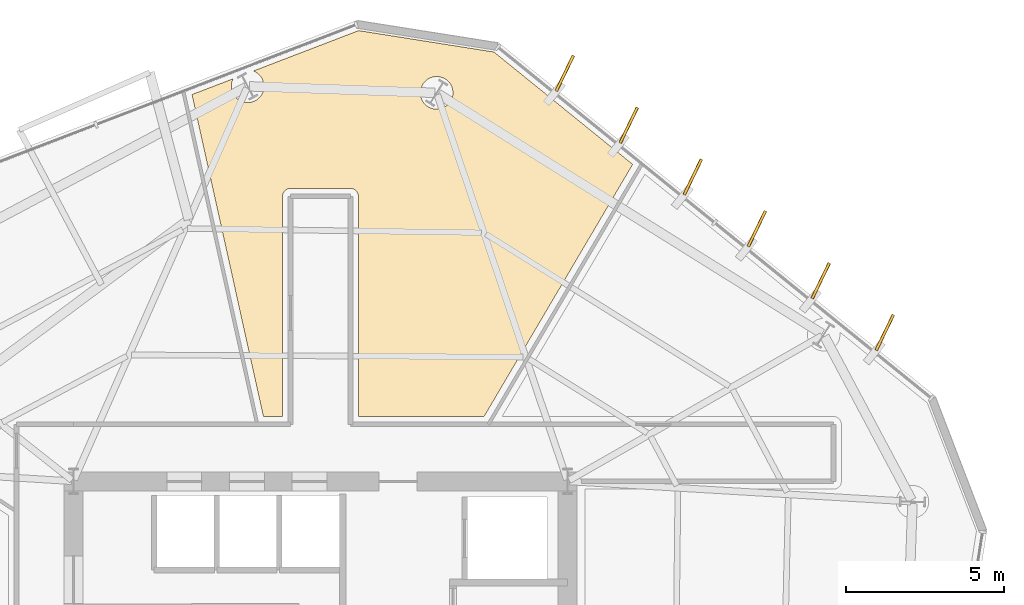
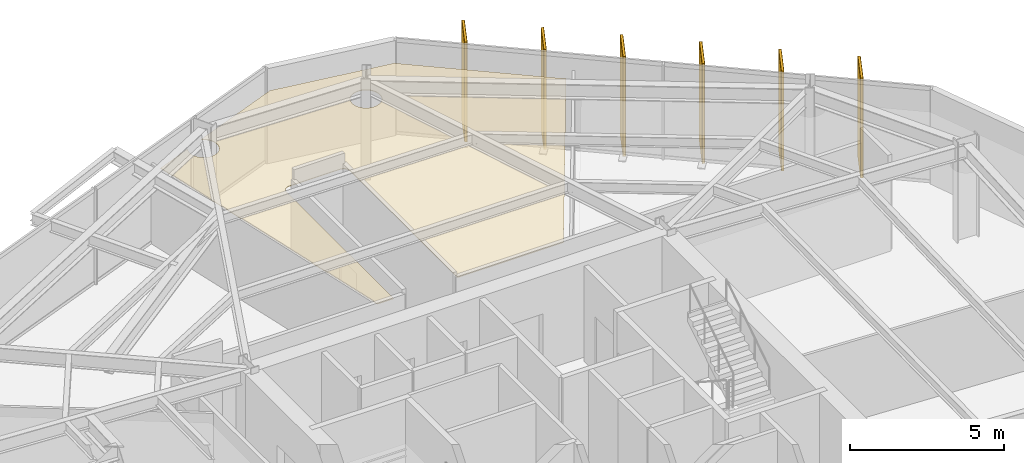
# One storey, part 11 of 11: 7 coverings, 6 shading devices.
"""IFC4 building model written with IfcOpenShell, lengths in metres."""

from ifc_helpers import new_model, si_unit, direction, frame, origin, origin_2d, place, context, subcontext, project, spatial, polyline, rectangle, outline, extrude, material, layer, layer_set, type_object, element, save


model = new_model("IFC4")

# Units and contexts
model_context = context("Model", 3, precision=1e-05, world=origin(), true_north=direction((0.0, 1.0)))
body_context = subcontext(model_context, "Body", "Model", "MODEL_VIEW")
ifc_project = project(units=[si_unit("LENGTHUNIT", "METRE"), si_unit("AREAUNIT", "SQUARE_METRE"), si_unit("VOLUMEUNIT", "CUBIC_METRE"), si_unit("PLANEANGLEUNIT", "RADIAN"), si_unit("MASSUNIT", "GRAM", prefix="KILO")], contexts=[model_context])

# Site, building, storey
site_placement = place(None, origin())
site = spatial("IfcSite", under=ifc_project, at=site_placement, CompositionType="ELEMENT")
building_placement = place(site_placement, origin())
building = spatial("IfcBuilding", under=site, at=building_placement, Name="Kranzbogen Civic Tower", CompositionType="ELEMENT")
storey_placement = place(building_placement, frame((0.0, 0.0, 106.39990234375)))
storey = spatial("IfcBuildingStorey", under=building, at=storey_placement, Name="L25", CompositionType="ELEMENT", Elevation=106.39990234375)

# Coverings
ifc_material_1 = material(Name="Pale Anodised Aluminium", Category="aluminium")
ifc_layer_1 = layer(ifc_material_1, 0.02490234375, Name="Pale Anodised Aluminium")
ifc_layer_set_1 = layer_set([ifc_layer_1], Name="Pale Anodised Aluminium")
covering_type_1 = type_object("IfcCoveringType", Name="Anodised Aluminium Vertical Fin Cladding 25 mm", PredefinedType="CLADDING", material=ifc_layer_set_1)
for number, where, z_axis, x_axis, name in (
    (1, (42.81591796875, 36.89794921875, -0.139892578125), (0.0, 0.0, 1.0), (0.436000902934, 0.899946227638, 0.0), "L25 vertical fin pale-metal cladding F1-1"),
    (2, (40.794921875, 38.534912109375, -0.139892578125), (0.0, 0.0, 1.0), (0.436000902934, 0.899946227638, 0.0), "L25 vertical fin pale-metal cladding F1-2"),
    (3, (38.77490234375, 40.1708984375, -0.139892578125), (0.0, 0.0, 1.0), (0.436000902934, 0.899946227638, 0.0), "L25 vertical fin pale-metal cladding F1-3"),
    (4, (36.75390625, 41.806884765625, -0.139892578125), (0.0, 0.0, 1.0), (0.436000902934, 0.899946227638, 0.0), "L25 vertical fin pale-metal cladding F1-4"),
    (5, (34.73388671875, 43.444091796875, -0.139892578125), (0.0, 0.0, 1.0), (0.436000902934, 0.899946227638, 0.0), "L25 vertical fin pale-metal cladding F1-5"),
    (6, (32.712890625, 45.080078125, -0.139892578125), (0.0, 0.0, 1.0), (0.436000902934, 0.899946227638, 0.0), "L25 vertical fin pale-metal cladding F1-6"),
):
    element("IfcCovering", number, at=place(storey_placement, frame(where, z_axis=z_axis, x_axis=x_axis)), inside=storey, type_object=covering_type_1, Name=name, PredefinedType="CLADDING", context=body_context, shape_type="SweptSolid", body=[
        extrude(rectangle(XDim=1.25, YDim=0.10009765625, at=origin_2d()), origin(), (0.0, 0.0, 1.0), 3.9599609375),
    ])

# Shading devices
ifc_material_2 = material(Name="Anodised Bronze Aluminium", Category="aluminium")
shading_device_type = type_object("IfcShadingDeviceType", Name="Anodised Bronze Vertical Facade Fin 1250x80", PredefinedType="USERDEFINED", material=ifc_material_2)
for number, where, z_axis, x_axis, name in (
    (7, (42.81591796875, 36.89794921875, -0.139892578125), (0.0, 0.0, 1.0), (0.436000902934, 0.899946227638, 0.0), "L25 vertical exterior shading fin F1-1"),
    (8, (40.794921875, 38.534912109375, -0.139892578125), (0.0, 0.0, 1.0), (0.436000902934, 0.899946227638, 0.0), "L25 vertical exterior shading fin F1-2"),
    (9, (38.77490234375, 40.1708984375, -0.139892578125), (0.0, 0.0, 1.0), (0.436000902934, 0.899946227638, 0.0), "L25 vertical exterior shading fin F1-3"),
    (10, (36.75390625, 41.806884765625, -0.139892578125), (0.0, 0.0, 1.0), (0.436000902934, 0.899946227638, 0.0), "L25 vertical exterior shading fin F1-4"),
    (11, (34.73388671875, 43.444091796875, -0.139892578125), (0.0, 0.0, 1.0), (0.436000902934, 0.899946227638, 0.0), "L25 vertical exterior shading fin F1-5"),
    (12, (32.712890625, 45.080078125, -0.139892578125), (0.0, 0.0, 1.0), (0.436000902934, 0.899946227638, 0.0), "L25 vertical exterior shading fin F1-6"),
):
    element("IfcShadingDevice", number, at=place(storey_placement, frame(where, z_axis=z_axis, x_axis=x_axis)), inside=storey, type_object=shading_device_type, Name=name, ObjectType="FIN", PredefinedType="USERDEFINED", context=body_context, shape_type="SweptSolid", body=[
        extrude(rectangle(XDim=1.25, YDim=0.080078125, at=origin_2d()), origin(), (0.0, 0.0, 1.0), 3.9599609375),
    ])

# Covering
ifc_material_3 = material(Name="Perforated Acoustic Gypsum Ceiling")
ifc_layer_2 = layer(ifc_material_3, 0.02490234375, Name="Perforated Acoustic Gypsum Ceiling")
ifc_layer_set_2 = layer_set([ifc_layer_2], Name="Perforated Acoustic Gypsum Ceiling")
covering_type_2 = type_object("IfcCoveringType", Name="Perforated Acoustic Mineral Ceiling Tile 25 mm", PredefinedType="CEILING", material=ifc_layer_set_2)
covering_placement = place(storey_placement, frame((0.0, 0.0, 2.900146484375)))
element("IfcCovering", 13, at=covering_placement, inside=storey, type_object=covering_type_2, Name="L25 Executive Research Study acoustic ceiling", PredefinedType="CEILING", context=body_context, shape_type="SweptSolid", body=[
    extrude(outline(polyline([(30.47705078125, 45.75390625), (34.85595703125, 42.20703125), (30.1640625, 34.2451171875), (26.195068359375, 34.2451171875), (26.195068359375, 41.199951171875), (26.195068359375, 41.208984375), (26.194091796875, 41.215087890625), (26.193115234375, 41.23291015625), (26.19189453125, 41.239013671875), (26.18798828125, 41.256103515625), (26.18701171875, 41.262939453125), (26.181884765625, 41.280029296875), (26.179931640625, 41.285888671875), (26.173095703125, 41.302001953125), (26.169921875, 41.30810546875), (26.162109375, 41.322998046875), (26.157958984375, 41.3291015625), (26.14892578125, 41.343017578125), (26.14501953125, 41.347900390625), (26.134033203125, 41.362060546875), (26.12890625, 41.366943359375), (26.116943359375, 41.37890625), (26.112060546875, 41.384033203125), (26.097900390625, 41.39501953125), (26.093017578125, 41.39892578125), (26.0791015625, 41.407958984375), (26.072998046875, 41.412109375), (26.05810546875, 41.419921875), (26.052001953125, 41.423095703125), (26.035888671875, 41.429931640625), (26.030029296875, 41.431884765625), (26.012939453125, 41.43701171875), (26.006103515625, 41.43798828125), (25.989013671875, 41.44189453125), (25.98291015625, 41.443115234375), (25.965087890625, 41.444091796875), (25.958984375, 41.445068359375), (25.949951171875, 41.445068359375), (24.050048828125, 41.445068359375), (24.041015625, 41.445068359375), (24.034912109375, 41.444091796875), (24.01708984375, 41.443115234375), (24.010986328125, 41.44189453125), (23.993896484375, 41.43798828125), (23.987060546875, 41.43701171875), (23.969970703125, 41.431884765625), (23.964111328125, 41.429931640625), (23.947998046875, 41.423095703125), (23.94189453125, 41.419921875), (23.927001953125, 41.412109375), (23.9208984375, 41.407958984375), (23.906982421875, 41.39892578125), (23.902099609375, 41.39501953125), (23.887939453125, 41.384033203125), (23.883056640625, 41.37890625), (23.87109375, 41.366943359375), (23.865966796875, 41.362060546875), (23.85498046875, 41.347900390625), (23.85107421875, 41.343017578125), (23.842041015625, 41.3291015625), (23.837890625, 41.322998046875), (23.830078125, 41.30810546875), (23.826904296875, 41.302001953125), (23.820068359375, 41.285888671875), (23.818115234375, 41.280029296875), (23.81298828125, 41.262939453125), (23.81201171875, 41.256103515625), (23.80810546875, 41.239013671875), (23.806884765625, 41.23291015625), (23.805908203125, 41.215087890625), (23.804931640625, 41.208984375), (23.804931640625, 41.199951171875), (23.804931640625, 34.2451171875), (23.198974609375, 34.2451171875), (20.943115234375, 44.410888671875), (22.242919921875, 44.909912109375), (22.22412109375, 44.868896484375), (22.20703125, 44.821044921875), (22.195068359375, 44.77197265625), (22.18701171875, 44.721923828125), (22.18505859375, 44.672119140625), (22.18701171875, 44.6220703125), (22.195068359375, 44.572021484375), (22.20703125, 44.52294921875), (22.22412109375, 44.47509765625), (22.2451171875, 44.429931640625), (22.27099609375, 44.385986328125), (22.301025390625, 44.345947265625), (22.3349609375, 44.30810546875), (22.373046875, 44.27392578125), (22.4130859375, 44.243896484375), (22.45703125, 44.218017578125), (22.501953125, 44.197021484375), (22.550048828125, 44.179931640625), (22.59912109375, 44.16796875), (22.64892578125, 44.159912109375), (22.698974609375, 44.157958984375), (22.7490234375, 44.159912109375), (22.799072265625, 44.16796875), (22.847900390625, 44.179931640625), (22.89599609375, 44.197021484375), (22.94091796875, 44.218017578125), (22.985107421875, 44.243896484375), (23.02490234375, 44.27392578125), (23.06298828125, 44.30810546875), (23.096923828125, 44.345947265625), (23.126953125, 44.385986328125), (23.153076171875, 44.429931640625), (23.174072265625, 44.47509765625), (23.19091796875, 44.52294921875), (23.202880859375, 44.572021484375), (23.2109375, 44.6220703125), (23.212890625, 44.672119140625), (23.2109375, 44.721923828125), (23.202880859375, 44.77197265625), (23.19091796875, 44.821044921875), (23.174072265625, 44.868896484375), (23.153076171875, 44.9140625), (23.126953125, 44.9580078125), (23.096923828125, 44.998046875), (23.06298828125, 45.035888671875), (23.02490234375, 45.070068359375), (22.985107421875, 45.10009765625), (22.94091796875, 45.1259765625), (22.89599609375, 45.14697265625), (22.8779296875, 45.153076171875), (26.2041015625, 46.429931640625), (30.47705078125, 45.75390625)]), holes=[polyline([(29.14306640625, 44.26708984375), (29.1220703125, 44.221923828125), (29.095947265625, 44.177978515625), (29.06591796875, 44.137939453125), (29.031982421875, 44.10009765625), (28.993896484375, 44.06591796875), (28.9541015625, 44.035888671875), (28.909912109375, 44.010009765625), (28.864990234375, 43.989013671875), (28.81689453125, 43.971923828125), (28.76806640625, 43.9599609375), (28.718017578125, 43.951904296875), (28.66796875, 43.949951171875), (28.617919921875, 43.951904296875), (28.568115234375, 43.9599609375), (28.51904296875, 43.971923828125), (28.470947265625, 43.989013671875), (28.426025390625, 44.010009765625), (28.382080078125, 44.035888671875), (28.342041015625, 44.06591796875), (28.303955078125, 44.10009765625), (28.27001953125, 44.137939453125), (28.239990234375, 44.177978515625), (28.214111328125, 44.221923828125), (28.193115234375, 44.26708984375), (28.176025390625, 44.31494140625), (28.1640625, 44.364013671875), (28.156005859375, 44.4140625), (28.154052734375, 44.464111328125), (28.156005859375, 44.513916015625), (28.1640625, 44.56396484375), (28.176025390625, 44.613037109375), (28.193115234375, 44.660888671875), (28.214111328125, 44.7060546875), (28.239990234375, 44.75), (28.27001953125, 44.7900390625), (28.303955078125, 44.827880859375), (28.342041015625, 44.862060546875), (28.382080078125, 44.89208984375), (28.426025390625, 44.91796875), (28.470947265625, 44.93896484375), (28.51904296875, 44.9560546875), (28.568115234375, 44.968017578125), (28.617919921875, 44.97607421875), (28.66796875, 44.97802734375), (28.718017578125, 44.97607421875), (28.76806640625, 44.968017578125), (28.81689453125, 44.9560546875), (28.864990234375, 44.93896484375), (28.909912109375, 44.91796875), (28.9541015625, 44.89208984375), (28.993896484375, 44.862060546875), (29.031982421875, 44.827880859375), (29.06591796875, 44.7900390625), (29.095947265625, 44.75), (29.1220703125, 44.7060546875), (29.14306640625, 44.660888671875), (29.159912109375, 44.613037109375), (29.172119140625, 44.56396484375), (29.179931640625, 44.513916015625), (29.181884765625, 44.464111328125), (29.179931640625, 44.4140625), (29.172119140625, 44.364013671875), (29.159912109375, 44.31494140625), (29.14306640625, 44.26708984375)])]), origin(), (0.0, 0.0, 1.0), 0.02490234375),
])

save(model, "model.ifc")
